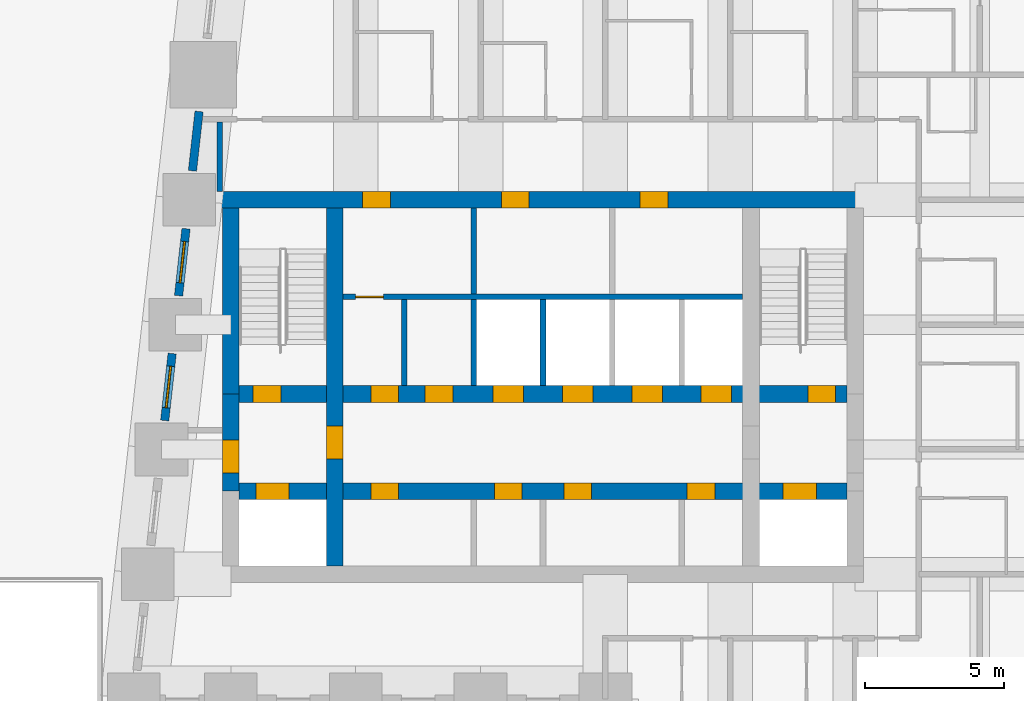
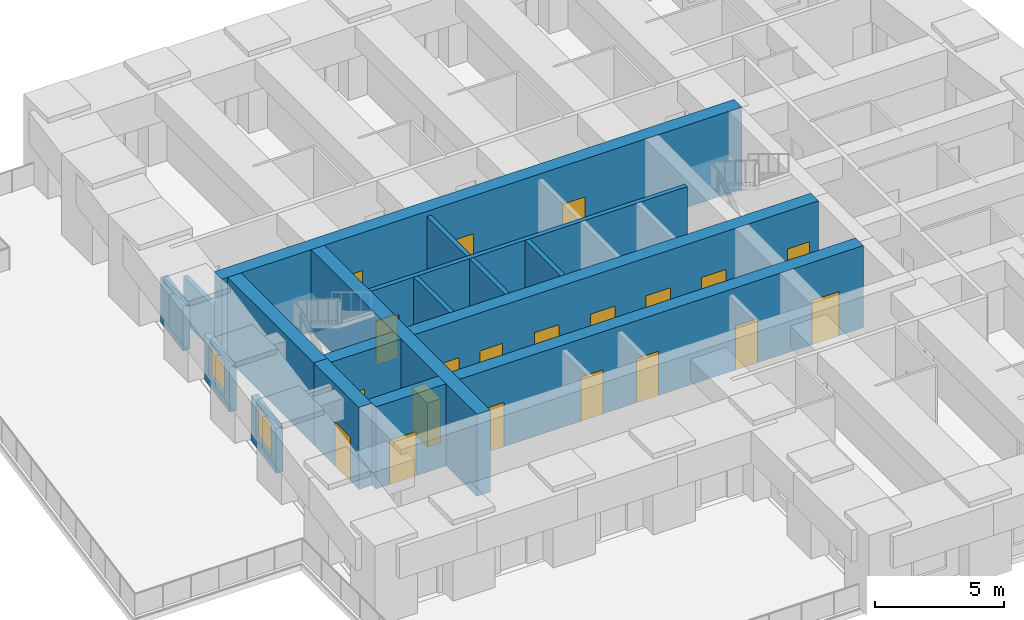
# One storey, part 3 of 7: 20 doors, 15 walls, 2 windows, 22 openings.
"""IFC4 building model written with IfcOpenShell, lengths in metres."""

from ifc_helpers import new_model, si_unit, direction, frame, frame_2d, origin, place, context, subcontext, project, spatial, rectangle, extrude, material, layer, layer_set, type_object, element, fill, save


model = new_model("IFC4")

# Units and contexts
model_context = context("Model", 3, precision=1e-05, world=origin(), true_north=direction((0.0, 1.0)))
body_context = subcontext(model_context, "Body", "Model", "MODEL_VIEW")
ifc_project = project(units=[si_unit("LENGTHUNIT", "METRE"), si_unit("AREAUNIT", "SQUARE_METRE"), si_unit("VOLUMEUNIT", "CUBIC_METRE"), si_unit("PLANEANGLEUNIT", "RADIAN"), si_unit("MASSUNIT", "GRAM", prefix="KILO")], contexts=[model_context])

# Site, building, storey
site_placement = place(None, origin())
site = spatial("IfcSite", under=ifc_project, at=site_placement, CompositionType="ELEMENT")
building_placement = place(site_placement, origin())
building = spatial("IfcBuilding", under=site, at=building_placement, Name="Kilele Tower Hotel", CompositionType="ELEMENT")
storey_placement = place(building_placement, frame((0.0, 0.0, 217.39990234375)))
storey = spatial("IfcBuildingStorey", under=building, at=storey_placement, Name="L56", CompositionType="ELEMENT", Elevation=217.39990234375)

# Wall, openings, doors
ifc_material_1 = material(Name="Concrete C60/75", Category="concrete")
ifc_layer_1 = layer(ifc_material_1, 0.60009765625)
ifc_layer_set_1 = layer_set([ifc_layer_1], Name="Concrete C60/75")
wall_type_1 = type_object("IfcWallType", Name="Core wall 600 C60/75", PredefinedType="SHEAR", material=ifc_layer_set_1)
wall_1_placement = place(storey_placement, frame((36.300048828125, 27.0, 0.0), z_axis=(0.0, 0.0, 1.0), x_axis=(-1.0, 0.0, 0.0)))
wall_1 = element("IfcWall", 1, at=wall_1_placement, inside=storey, type_object=wall_type_1, Name="Core wall N L56", PredefinedType="SHEAR", context=body_context, shape_type="SweptSolid", body=[
    extrude(rectangle(XDim=23.35009765625, YDim=0.60009765625, at=frame_2d((11.675048828125, 0.0))), origin(), (0.0, 0.0, 1.0), 3.900146484375),
])
opening_1_placement = place(wall_1_placement, frame((17.050048828125, 0.0, 0.0)))
opening_1 = element("IfcOpeningElement", 2, at=opening_1_placement, cuts=wall_1, Name="Opening D12", PredefinedType="OPENING", context=body_context, shape_type="SweptSolid", body=[
    extrude(rectangle(XDim=1.0, YDim=2.10009765625, at=frame_2d((0.5, 1.050048828125))), frame((0.0, 0.31005859375, 0.0), z_axis=(0.0, -1.0, 0.0), x_axis=(1.0, 0.0, 0.0)), (0.0, 0.0, 1.0), 0.6201171875),
])
opening_2_placement = place(wall_1_placement, frame((12.050048828125, 0.0, 0.0)))
opening_2 = element("IfcOpeningElement", 3, at=opening_2_placement, cuts=wall_1, Name="Opening D6", PredefinedType="OPENING", context=body_context, shape_type="SweptSolid", body=[
    extrude(rectangle(XDim=1.0, YDim=2.10009765625, at=frame_2d((0.5, 1.050048828125))), frame((0.0, 0.31005859375, 0.0), z_axis=(0.0, -1.0, 0.0), x_axis=(1.0, 0.0, 0.0)), (0.0, 0.0, 1.0), 0.6201171875),
])
opening_3_placement = place(wall_1_placement, frame((7.050048828125, 0.0, 0.0)))
opening_3 = element("IfcOpeningElement", 4, at=opening_3_placement, cuts=wall_1, Name="Opening D6", PredefinedType="OPENING", context=body_context, shape_type="SweptSolid", body=[
    extrude(rectangle(XDim=1.0, YDim=2.10009765625, at=frame_2d((0.5, 1.050048828125))), frame((0.0, 0.31005859375, 0.0), z_axis=(0.0, -1.0, 0.0), x_axis=(1.0, 0.0, 0.0)), (0.0, 0.0, 1.0), 0.6201171875),
])
ifc_material_2 = material(Name="Timber door leaf in hardwood frame", Category="wood")
door_type_1 = type_object("IfcDoorType", Name="Core lobby door 1000", OperationType="SINGLE_SWING_LEFT", PredefinedType="DOOR", material=ifc_material_2)
door_1_placement = place(opening_1_placement, origin())
door_1 = element("IfcDoor", 5, at=door_1_placement, inside=storey, type_object=door_type_1, Name="North lobby door L56", OperationType="SINGLE_SWING_RIGHT", OverallHeight=2.10009765625, OverallWidth=1.0, PredefinedType="DOOR", context=body_context, shape_type="SweptSolid", body=[
    extrude(rectangle(XDim=1.0, YDim=2.10009765625, at=frame_2d((0.5, 1.050048828125))), frame((0.0, 0.2998046875, 0.0), z_axis=(0.0, -1.0, 0.0), x_axis=(1.0, 0.0, 0.0)), (0.0, 0.0, 1.0), 0.599609375),
])
fill(opening_1, door_1)
ifc_material_3 = material(Name="Timber door leaf in hardwood frame", Category="wood")
door_type_2 = type_object("IfcDoorType", Name="Riser door 1000", OperationType="SINGLE_SWING_LEFT", PredefinedType="DOOR", material=ifc_material_3)
door_2_placement = place(opening_2_placement, origin())
door_2 = element("IfcDoor", 6, at=door_2_placement, inside=storey, type_object=door_type_2, Name="Guest pantry door L56", OperationType="SINGLE_SWING_RIGHT", OverallHeight=2.10009765625, OverallWidth=1.0, PredefinedType="DOOR", context=body_context, shape_type="SweptSolid", body=[
    extrude(rectangle(XDim=1.0, YDim=2.10009765625, at=frame_2d((0.5, 1.050048828125))), frame((0.0, 0.2998046875, 0.0), z_axis=(0.0, -1.0, 0.0), x_axis=(1.0, 0.0, 0.0)), (0.0, 0.0, 1.0), 0.599609375),
])
fill(opening_2, door_2)
door_3_placement = place(opening_3_placement, origin())
door_3 = element("IfcDoor", 7, at=door_3_placement, inside=storey, type_object=door_type_2, Name="Electrical riser door L56", OperationType="SINGLE_SWING_RIGHT", OverallHeight=2.10009765625, OverallWidth=1.0, PredefinedType="DOOR", context=body_context, shape_type="SweptSolid", body=[
    extrude(rectangle(XDim=1.0, YDim=2.10009765625, at=frame_2d((0.5, 1.050048828125))), frame((0.0, 0.2998046875, 0.0), z_axis=(0.0, -1.0, 0.0), x_axis=(1.0, 0.0, 0.0)), (0.0, 0.0, 1.0), 0.599609375),
])
fill(opening_3, door_3)

# Wall, opening, door
wall_2_placement = place(storey_placement, frame((17.25, 13.800048828125, 0.0), z_axis=(0.0, 0.0, 1.0), x_axis=(0.0, 1.0, 0.0)))
wall_2 = element("IfcWall", 8, at=wall_2_placement, inside=storey, type_object=wall_type_1, Name="Core wall IW L56", PredefinedType="SHEAR", context=body_context, shape_type="SweptSolid", body=[
    extrude(rectangle(XDim=12.89990234375, YDim=0.60009765625, at=frame_2d((6.449951171875, 0.0))), origin(), (0.0, 0.0, 1.0), 3.900146484375),
])
opening_4_placement = place(wall_2_placement, frame((3.85009765625, 0.0, 0.0)))
opening_4 = element("IfcOpeningElement", 9, at=opening_4_placement, cuts=wall_2, Name="Opening D4", PredefinedType="OPENING", context=body_context, shape_type="SweptSolid", body=[
    extrude(rectangle(XDim=1.199951171875, YDim=2.10009765625, at=frame_2d((0.60009765625, 1.050048828125))), frame((0.0, 0.31005859375, 0.0), z_axis=(0.0, -1.0, 0.0), x_axis=(1.0, 0.0, 0.0)), (0.0, 0.0, 1.0), 0.6201171875),
])
ifc_material_4 = material(Name="Timber door leaf in hardwood frame", Category="wood")
door_type_3 = type_object("IfcDoorType", Name="Firefighting lobby door 1200", OperationType="SINGLE_SWING_LEFT", PredefinedType="DOOR", material=ifc_material_4)
door_4_placement = place(opening_4_placement, origin())
door_4 = element("IfcDoor", 10, at=door_4_placement, inside=storey, type_object=door_type_3, Name="Lobby door L56", OperationType="SINGLE_SWING_LEFT", OverallHeight=2.10009765625, OverallWidth=1.199951171875, PredefinedType="DOOR", context=body_context, shape_type="SweptSolid", body=[
    extrude(rectangle(XDim=1.199951171875, YDim=2.10009765625, at=frame_2d((0.60009765625, 1.050048828125))), frame((0.0, 0.2998046875, 0.0), z_axis=(0.0, -1.0, 0.0), x_axis=(1.0, 0.0, 0.0)), (0.0, 0.0, 1.0), 0.599609375),
])
fill(opening_4, door_4)

# Wall, openings, doors
wall_3_placement = place(storey_placement, frame((13.800048828125, 16.5, 0.0), z_axis=(0.0, 0.0, 1.0), x_axis=(1.0, 0.0, 0.0)))
wall_3 = element("IfcWall", 11, at=wall_3_placement, inside=storey, type_object=wall_type_1, Name="Core wall LS L56", PredefinedType="SHEAR", context=body_context, shape_type="SweptSolid", body=[
    extrude(rectangle(XDim=21.89990234375, YDim=0.60009765625, at=frame_2d((10.949951171875, 0.0))), origin(), (0.0, 0.0, 1.0), 3.900146484375),
])
opening_5_placement = place(wall_3_placement, frame((5.75, 0.0, 0.0), z_axis=(0.0, 0.0, 1.0), x_axis=(-1.0, 0.0, 0.0)))
opening_5 = element("IfcOpeningElement", 12, at=opening_5_placement, cuts=wall_3, Name="Opening D11", PredefinedType="OPENING", context=body_context, shape_type="SweptSolid", body=[
    extrude(rectangle(XDim=1.0, YDim=2.10009765625, at=frame_2d((0.5, 1.050048828125))), frame((0.0, 0.31005859375, 0.0), z_axis=(0.0, -1.0, 0.0), x_axis=(1.0, 0.0, 0.0)), (0.0, 0.0, 1.0), 0.6201171875),
])
opening_6_placement = place(wall_3_placement, frame((10.199951171875, 0.0, 0.0), z_axis=(0.0, 0.0, 1.0), x_axis=(-1.0, 0.0, 0.0)))
opening_6 = element("IfcOpeningElement", 13, at=opening_6_placement, cuts=wall_3, Name="Opening D11", PredefinedType="OPENING", context=body_context, shape_type="SweptSolid", body=[
    extrude(rectangle(XDim=1.0, YDim=2.10009765625, at=frame_2d((0.5, 1.050048828125))), frame((0.0, 0.31005859375, 0.0), z_axis=(0.0, -1.0, 0.0), x_axis=(1.0, 0.0, 0.0)), (0.0, 0.0, 1.0), 0.6201171875),
])
opening_7_placement = place(wall_3_placement, frame((12.699951171875, 0.0, 0.0), z_axis=(0.0, 0.0, 1.0), x_axis=(-1.0, 0.0, 0.0)))
opening_7 = element("IfcOpeningElement", 14, at=opening_7_placement, cuts=wall_3, Name="Opening D11", PredefinedType="OPENING", context=body_context, shape_type="SweptSolid", body=[
    extrude(rectangle(XDim=1.0, YDim=2.10009765625, at=frame_2d((0.5, 1.050048828125))), frame((0.0, 0.31005859375, 0.0), z_axis=(0.0, -1.0, 0.0), x_axis=(1.0, 0.0, 0.0)), (0.0, 0.0, 1.0), 0.6201171875),
])
opening_8_placement = place(wall_3_placement, frame((17.14990234375, 0.0, 0.0), z_axis=(0.0, 0.0, 1.0), x_axis=(-1.0, 0.0, 0.0)))
opening_8 = element("IfcOpeningElement", 15, at=opening_8_placement, cuts=wall_3, Name="Opening D11", PredefinedType="OPENING", context=body_context, shape_type="SweptSolid", body=[
    extrude(rectangle(XDim=1.0, YDim=2.10009765625, at=frame_2d((0.5, 1.050048828125))), frame((0.0, 0.31005859375, 0.0), z_axis=(0.0, -1.0, 0.0), x_axis=(1.0, 0.0, 0.0)), (0.0, 0.0, 1.0), 0.6201171875),
])
opening_9_placement = place(wall_3_placement, frame((0.60009765625, 0.0, 0.0)))
opening_9 = element("IfcOpeningElement", 16, at=opening_9_placement, cuts=wall_3, Name="Opening LD2", PredefinedType="OPENING", context=body_context, shape_type="SweptSolid", body=[
    extrude(rectangle(XDim=1.199951171875, YDim=2.10009765625, at=frame_2d((0.60009765625, 1.050048828125))), frame((0.0, 0.31005859375, 0.0), z_axis=(0.0, -1.0, 0.0), x_axis=(1.0, 0.0, 0.0)), (0.0, 0.0, 1.0), 0.6201171875),
])
opening_10_placement = place(wall_3_placement, frame((19.60009765625, 0.0, 0.0)))
opening_10 = element("IfcOpeningElement", 17, at=opening_10_placement, cuts=wall_3, Name="Opening LD2", PredefinedType="OPENING", context=body_context, shape_type="SweptSolid", body=[
    extrude(rectangle(XDim=1.199951171875, YDim=2.10009765625, at=frame_2d((0.60009765625, 1.050048828125))), frame((0.0, 0.31005859375, 0.0), z_axis=(0.0, -1.0, 0.0), x_axis=(1.0, 0.0, 0.0)), (0.0, 0.0, 1.0), 0.6201171875),
])
ifc_material_5 = material(Name="Timber door leaf in hardwood frame", Category="wood")
door_type_4 = type_object("IfcDoorType", Name="Core store door 1000", OperationType="SINGLE_SWING_LEFT", PredefinedType="DOOR", material=ifc_material_5)
door_5_placement = place(opening_5_placement, origin())
door_5 = element("IfcDoor", 18, at=door_5_placement, inside=storey, type_object=door_type_4, Name="Core room door L1 L56", OperationType="SINGLE_SWING_RIGHT", OverallHeight=2.10009765625, OverallWidth=1.0, PredefinedType="DOOR", context=body_context, shape_type="SweptSolid", body=[
    extrude(rectangle(XDim=1.0, YDim=2.10009765625, at=frame_2d((0.5, 1.050048828125))), frame((0.0, 0.2998046875, 0.0), z_axis=(0.0, -1.0, 0.0), x_axis=(1.0, 0.0, 0.0)), (0.0, 0.0, 1.0), 0.599609375),
])
fill(opening_5, door_5)
door_6_placement = place(opening_6_placement, origin())
door_6 = element("IfcDoor", 19, at=door_6_placement, inside=storey, type_object=door_type_4, Name="Core room door L3 L56", OperationType="SINGLE_SWING_RIGHT", OverallHeight=2.10009765625, OverallWidth=1.0, PredefinedType="DOOR", context=body_context, shape_type="SweptSolid", body=[
    extrude(rectangle(XDim=1.0, YDim=2.10009765625, at=frame_2d((0.5, 1.050048828125))), frame((0.0, 0.2998046875, 0.0), z_axis=(0.0, -1.0, 0.0), x_axis=(1.0, 0.0, 0.0)), (0.0, 0.0, 1.0), 0.599609375),
])
fill(opening_6, door_6)
door_7_placement = place(opening_7_placement, origin())
door_7 = element("IfcDoor", 20, at=door_7_placement, inside=storey, type_object=door_type_4, Name="Core room door M1 L56", OperationType="SINGLE_SWING_RIGHT", OverallHeight=2.10009765625, OverallWidth=1.0, PredefinedType="DOOR", context=body_context, shape_type="SweptSolid", body=[
    extrude(rectangle(XDim=1.0, YDim=2.10009765625, at=frame_2d((0.5, 1.050048828125))), frame((0.0, 0.2998046875, 0.0), z_axis=(0.0, -1.0, 0.0), x_axis=(1.0, 0.0, 0.0)), (0.0, 0.0, 1.0), 0.599609375),
])
fill(opening_7, door_7)
door_8_placement = place(opening_8_placement, origin())
door_8 = element("IfcDoor", 21, at=door_8_placement, inside=storey, type_object=door_type_4, Name="Core room door M3 L56", OperationType="SINGLE_SWING_RIGHT", OverallHeight=2.10009765625, OverallWidth=1.0, PredefinedType="DOOR", context=body_context, shape_type="SweptSolid", body=[
    extrude(rectangle(XDim=1.0, YDim=2.10009765625, at=frame_2d((0.5, 1.050048828125))), frame((0.0, 0.2998046875, 0.0), z_axis=(0.0, -1.0, 0.0), x_axis=(1.0, 0.0, 0.0)), (0.0, 0.0, 1.0), 0.599609375),
])
fill(opening_8, door_8)
ifc_material_6 = material(Name="Steel lift landing door", Category="steel")
door_type_5 = type_object("IfcDoorType", Name="Firefighting lift landing door 1200", OperationType="SLIDING_TO_LEFT", PredefinedType="DOOR", material=ifc_material_6)
door_9_placement = place(opening_9_placement, origin())
door_9 = element("IfcDoor", 22, at=door_9_placement, inside=storey, type_object=door_type_5, Name="Landing door FFW L56", OperationType="SLIDING_TO_LEFT", OverallHeight=2.10009765625, OverallWidth=1.199951171875, PredefinedType="DOOR", context=body_context, shape_type="SweptSolid", body=[
    extrude(rectangle(XDim=1.199951171875, YDim=2.10009765625, at=frame_2d((0.60009765625, 1.050048828125))), frame((0.0, 0.2998046875, 0.0), z_axis=(0.0, -1.0, 0.0), x_axis=(1.0, 0.0, 0.0)), (0.0, 0.0, 1.0), 0.599609375),
])
fill(opening_9, door_9)
door_10_placement = place(opening_10_placement, origin())
door_10 = element("IfcDoor", 23, at=door_10_placement, inside=storey, type_object=door_type_5, Name="Landing door FFE L56", OperationType="SLIDING_TO_LEFT", OverallHeight=2.10009765625, OverallWidth=1.199951171875, PredefinedType="DOOR", context=body_context, shape_type="SweptSolid", body=[
    extrude(rectangle(XDim=1.199951171875, YDim=2.10009765625, at=frame_2d((0.60009765625, 1.050048828125))), frame((0.0, 0.2998046875, 0.0), z_axis=(0.0, -1.0, 0.0), x_axis=(1.0, 0.0, 0.0)), (0.0, 0.0, 1.0), 0.599609375),
])
fill(opening_10, door_10)

wall_4_placement = place(storey_placement, frame((13.800048828125, 20.0, 0.0), z_axis=(0.0, 0.0, 1.0), x_axis=(1.0, 0.0, 0.0)))
wall_4 = element("IfcWall", 24, at=wall_4_placement, inside=storey, type_object=wall_type_1, Name="Core wall LN L56", PredefinedType="SHEAR", context=body_context, shape_type="SweptSolid", body=[
    extrude(rectangle(XDim=21.89990234375, YDim=0.60009765625, at=frame_2d((10.949951171875, 0.0))), origin(), (0.0, 0.0, 1.0), 3.900146484375),
])
opening_11_placement = place(wall_4_placement, frame((0.5, 0.0, 0.0)))
opening_11 = element("IfcOpeningElement", 25, at=opening_11_placement, cuts=wall_4, Name="Opening D5", PredefinedType="OPENING", context=body_context, shape_type="SweptSolid", body=[
    extrude(rectangle(XDim=1.0, YDim=2.10009765625, at=frame_2d((0.5, 1.050048828125))), frame((0.0, 0.31005859375, 0.0), z_axis=(0.0, -1.0, 0.0), x_axis=(1.0, 0.0, 0.0)), (0.0, 0.0, 1.0), 0.6201171875),
])
opening_12_placement = place(wall_4_placement, frame((20.5, 0.0, 0.0)))
opening_12 = element("IfcOpeningElement", 26, at=opening_12_placement, cuts=wall_4, Name="Opening D5", PredefinedType="OPENING", context=body_context, shape_type="SweptSolid", body=[
    extrude(rectangle(XDim=1.0, YDim=2.10009765625, at=frame_2d((0.5, 1.050048828125))), frame((0.0, 0.31005859375, 0.0), z_axis=(0.0, -1.0, 0.0), x_axis=(1.0, 0.0, 0.0)), (0.0, 0.0, 1.0), 0.6201171875),
])
opening_13_placement = place(wall_4_placement, frame((9.14990234375, 0.0, 0.0)))
opening_13 = element("IfcOpeningElement", 27, at=opening_13_placement, cuts=wall_4, Name="Opening LD1", PredefinedType="OPENING", context=body_context, shape_type="SweptSolid", body=[
    extrude(rectangle(XDim=1.10009765625, YDim=2.10009765625, at=frame_2d((0.550048828125, 1.050048828125))), frame((0.0, 0.31005859375, 0.0), z_axis=(0.0, -1.0, 0.0), x_axis=(1.0, 0.0, 0.0)), (0.0, 0.0, 1.0), 0.6201171875),
])
opening_14_placement = place(wall_4_placement, frame((11.64990234375, 0.0, 0.0)))
opening_14 = element("IfcOpeningElement", 28, at=opening_14_placement, cuts=wall_4, Name="Opening LD1", PredefinedType="OPENING", context=body_context, shape_type="SweptSolid", body=[
    extrude(rectangle(XDim=1.10009765625, YDim=2.10009765625, at=frame_2d((0.550048828125, 1.050048828125))), frame((0.0, 0.31005859375, 0.0), z_axis=(0.0, -1.0, 0.0), x_axis=(1.0, 0.0, 0.0)), (0.0, 0.0, 1.0), 0.6201171875),
])
opening_15_placement = place(wall_4_placement, frame((14.14990234375, 0.0, 0.0)))
opening_15 = element("IfcOpeningElement", 29, at=opening_15_placement, cuts=wall_4, Name="Opening LD1", PredefinedType="OPENING", context=body_context, shape_type="SweptSolid", body=[
    extrude(rectangle(XDim=1.10009765625, YDim=2.10009765625, at=frame_2d((0.550048828125, 1.050048828125))), frame((0.0, 0.31005859375, 0.0), z_axis=(0.0, -1.0, 0.0), x_axis=(1.0, 0.0, 0.0)), (0.0, 0.0, 1.0), 0.6201171875),
])
opening_16_placement = place(wall_4_placement, frame((16.64990234375, 0.0, 0.0)))
opening_16 = element("IfcOpeningElement", 30, at=opening_16_placement, cuts=wall_4, Name="Opening LD1", PredefinedType="OPENING", context=body_context, shape_type="SweptSolid", body=[
    extrude(rectangle(XDim=1.10009765625, YDim=2.10009765625, at=frame_2d((0.550048828125, 1.050048828125))), frame((0.0, 0.31005859375, 0.0), z_axis=(0.0, -1.0, 0.0), x_axis=(1.0, 0.0, 0.0)), (0.0, 0.0, 1.0), 0.6201171875),
])
opening_17_placement = place(wall_4_placement, frame((5.75, 0.0, 0.0), z_axis=(0.0, 0.0, 1.0), x_axis=(-1.0, 0.0, 0.0)))
opening_17 = element("IfcOpeningElement", 31, at=opening_17_placement, cuts=wall_4, Name="Opening D12", PredefinedType="OPENING", context=body_context, shape_type="SweptSolid", body=[
    extrude(rectangle(XDim=1.0, YDim=2.10009765625, at=frame_2d((0.5, 1.050048828125))), frame((0.0, 0.31005859375, 0.0), z_axis=(0.0, -1.0, 0.0), x_axis=(1.0, 0.0, 0.0)), (0.0, 0.0, 1.0), 0.6201171875),
])
opening_18_placement = place(wall_4_placement, frame((6.699951171875, 0.0, 0.0)))
opening_18 = element("IfcOpeningElement", 32, at=opening_18_placement, cuts=wall_4, Name="Opening D11", PredefinedType="OPENING", context=body_context, shape_type="SweptSolid", body=[
    extrude(rectangle(XDim=1.0, YDim=2.10009765625, at=frame_2d((0.5, 1.050048828125))), frame((0.0, 0.31005859375, 0.0), z_axis=(0.0, -1.0, 0.0), x_axis=(1.0, 0.0, 0.0)), (0.0, 0.0, 1.0), 0.6201171875),
])
door_11_placement = place(opening_17_placement, origin())
door_11 = element("IfcDoor", 33, at=door_11_placement, inside=storey, type_object=door_type_1, Name="Core passage door L56", OperationType="SINGLE_SWING_RIGHT", OverallHeight=2.10009765625, OverallWidth=1.0, PredefinedType="DOOR", context=body_context, shape_type="SweptSolid", body=[
    extrude(rectangle(XDim=1.0, YDim=2.10009765625, at=frame_2d((0.5, 1.050048828125))), frame((0.0, 0.2998046875, 0.0), z_axis=(0.0, -1.0, 0.0), x_axis=(1.0, 0.0, 0.0)), (0.0, 0.0, 1.0), 0.599609375),
])
fill(opening_17, door_11)
door_12_placement = place(opening_18_placement, origin())
door_12 = element("IfcDoor", 34, at=door_12_placement, inside=storey, type_object=door_type_4, Name="Core room door S2 L56", OperationType="SINGLE_SWING_LEFT", OverallHeight=2.10009765625, OverallWidth=1.0, PredefinedType="DOOR", context=body_context, shape_type="SweptSolid", body=[
    extrude(rectangle(XDim=1.0, YDim=2.10009765625, at=frame_2d((0.5, 1.050048828125))), frame((0.0, 0.2998046875, 0.0), z_axis=(0.0, -1.0, 0.0), x_axis=(1.0, 0.0, 0.0)), (0.0, 0.0, 1.0), 0.599609375),
])
fill(opening_18, door_12)
ifc_material_7 = material(Name="Steel lift landing door", Category="steel")
door_type_6 = type_object("IfcDoorType", Name="Lift landing door 1100", OperationType="SLIDING_TO_LEFT", PredefinedType="DOOR", material=ifc_material_7)
door_13_placement = place(opening_13_placement, origin())
door_13 = element("IfcDoor", 35, at=door_13_placement, inside=storey, type_object=door_type_6, Name="Landing door H1 L56", OperationType="SLIDING_TO_LEFT", OverallHeight=2.10009765625, OverallWidth=1.10009765625, PredefinedType="DOOR", context=body_context, shape_type="SweptSolid", body=[
    extrude(rectangle(XDim=1.10009765625, YDim=2.10009765625, at=frame_2d((0.550048828125, 1.050048828125))), frame((0.0, 0.2998046875, 0.0), z_axis=(0.0, -1.0, 0.0), x_axis=(1.0, 0.0, 0.0)), (0.0, 0.0, 1.0), 0.599609375),
])
fill(opening_13, door_13)
door_14_placement = place(opening_14_placement, origin())
door_14 = element("IfcDoor", 36, at=door_14_placement, inside=storey, type_object=door_type_6, Name="Landing door H2 L56", OperationType="SLIDING_TO_LEFT", OverallHeight=2.10009765625, OverallWidth=1.10009765625, PredefinedType="DOOR", context=body_context, shape_type="SweptSolid", body=[
    extrude(rectangle(XDim=1.10009765625, YDim=2.10009765625, at=frame_2d((0.550048828125, 1.050048828125))), frame((0.0, 0.2998046875, 0.0), z_axis=(0.0, -1.0, 0.0), x_axis=(1.0, 0.0, 0.0)), (0.0, 0.0, 1.0), 0.599609375),
])
fill(opening_14, door_14)
door_15_placement = place(opening_15_placement, origin())
door_15 = element("IfcDoor", 37, at=door_15_placement, inside=storey, type_object=door_type_6, Name="Landing door H3 L56", OperationType="SLIDING_TO_LEFT", OverallHeight=2.10009765625, OverallWidth=1.10009765625, PredefinedType="DOOR", context=body_context, shape_type="SweptSolid", body=[
    extrude(rectangle(XDim=1.10009765625, YDim=2.10009765625, at=frame_2d((0.550048828125, 1.050048828125))), frame((0.0, 0.2998046875, 0.0), z_axis=(0.0, -1.0, 0.0), x_axis=(1.0, 0.0, 0.0)), (0.0, 0.0, 1.0), 0.599609375),
])
fill(opening_15, door_15)
door_16_placement = place(opening_16_placement, origin())
door_16 = element("IfcDoor", 38, at=door_16_placement, inside=storey, type_object=door_type_6, Name="Landing door G1 L56", OperationType="SLIDING_TO_LEFT", OverallHeight=2.10009765625, OverallWidth=1.10009765625, PredefinedType="DOOR", context=body_context, shape_type="SweptSolid", body=[
    extrude(rectangle(XDim=1.10009765625, YDim=2.10009765625, at=frame_2d((0.550048828125, 1.050048828125))), frame((0.0, 0.2998046875, 0.0), z_axis=(0.0, -1.0, 0.0), x_axis=(1.0, 0.0, 0.0)), (0.0, 0.0, 1.0), 0.599609375),
])
fill(opening_16, door_16)
ifc_material_8 = material(Name="Timber door leaf in hardwood frame", Category="wood")
door_type_7 = type_object("IfcDoorType", Name="Stair door 1000", OperationType="SINGLE_SWING_LEFT", PredefinedType="DOOR", material=ifc_material_8)
door_17_placement = place(opening_11_placement, origin())
door_17 = element("IfcDoor", 39, at=door_17_placement, inside=storey, type_object=door_type_7, Name="Stair 1 door L56", OperationType="SINGLE_SWING_LEFT", OverallHeight=2.10009765625, OverallWidth=1.0, PredefinedType="DOOR", context=body_context, shape_type="SweptSolid", body=[
    extrude(rectangle(XDim=1.0, YDim=2.10009765625, at=frame_2d((0.5, 1.050048828125))), frame((0.0, 0.2998046875, 0.0), z_axis=(0.0, -1.0, 0.0), x_axis=(1.0, 0.0, 0.0)), (0.0, 0.0, 1.0), 0.599609375),
])
fill(opening_11, door_17)
door_18_placement = place(opening_12_placement, origin())
door_18 = element("IfcDoor", 40, at=door_18_placement, inside=storey, type_object=door_type_7, Name="Stair 2 door L56", OperationType="SINGLE_SWING_RIGHT", OverallHeight=2.10009765625, OverallWidth=1.0, PredefinedType="DOOR", context=body_context, shape_type="SweptSolid", body=[
    extrude(rectangle(XDim=1.0, YDim=2.10009765625, at=frame_2d((0.5, 1.050048828125))), frame((0.0, 0.2998046875, 0.0), z_axis=(0.0, -1.0, 0.0), x_axis=(1.0, 0.0, 0.0)), (0.0, 0.0, 1.0), 0.599609375),
])
fill(opening_12, door_18)

# Wall
wall_5_placement = place(storey_placement, frame((13.5, 26.699951171875, 0.0), z_axis=(0.0, 0.0, 1.0), x_axis=(0.0, -1.0, 0.0)))
element("IfcWall", 41, at=wall_5_placement, inside=storey, type_object=wall_type_1, Name="Core wall W1 L56", PredefinedType="SHEAR", context=body_context, shape_type="SweptSolid", body=[
    extrude(rectangle(XDim=6.699951171875, YDim=0.60009765625, at=frame_2d((3.35009765625, 0.0))), origin(), (0.0, 0.0, 1.0), 3.900146484375),
])

# Wall, opening, door
wall_6_placement = place(storey_placement, frame((13.5, 20.0, 0.0), z_axis=(0.0, 0.0, 1.0), x_axis=(0.0, -1.0, 0.0)))
wall_6 = element("IfcWall", 42, at=wall_6_placement, inside=storey, type_object=wall_type_1, Name="Core wall W2 L56", PredefinedType="SHEAR", context=body_context, shape_type="SweptSolid", body=[
    extrude(rectangle(XDim=3.5, YDim=0.60009765625, at=frame_2d((1.75, 0.0))), origin(), (0.0, 0.0, 1.0), 3.900146484375),
])
opening_19_placement = place(wall_6_placement, frame((1.64990234375, 0.0, 0.0)))
opening_19 = element("IfcOpeningElement", 43, at=opening_19_placement, cuts=wall_6, Name="Opening D4", PredefinedType="OPENING", context=body_context, shape_type="SweptSolid", body=[
    extrude(rectangle(XDim=1.199951171875, YDim=2.10009765625, at=frame_2d((0.60009765625, 1.050048828125))), frame((0.0, 0.31005859375, 0.0), z_axis=(0.0, -1.0, 0.0), x_axis=(1.0, 0.0, 0.0)), (0.0, 0.0, 1.0), 0.6201171875),
])
door_19_placement = place(opening_19_placement, origin())
door_19 = element("IfcDoor", 44, at=door_19_placement, inside=storey, type_object=door_type_3, Name="Lobby door L56", OperationType="SINGLE_SWING_RIGHT", OverallHeight=2.10009765625, OverallWidth=1.199951171875, PredefinedType="DOOR", context=body_context, shape_type="SweptSolid", body=[
    extrude(rectangle(XDim=1.199951171875, YDim=2.10009765625, at=frame_2d((0.60009765625, 1.050048828125))), frame((0.0, 0.2998046875, 0.0), z_axis=(0.0, -1.0, 0.0), x_axis=(1.0, 0.0, 0.0)), (0.0, 0.0, 1.0), 0.599609375),
])
fill(opening_19, door_19)

# Walls
ifc_material_9 = material(Name="Blockwork, plastered both sides", Category="masonry")
ifc_layer_2 = layer(ifc_material_9, 0.199951171875)
ifc_layer_set_2 = layer_set([ifc_layer_2], Name="Blockwork, plastered both sides")
wall_type_2 = type_object("IfcWallType", Name="Partition wall 200", PredefinedType="PARTITIONING", material=ifc_layer_set_2)
wall_7_placement = place(storey_placement, frame((13.10009765625, 27.300048828125, 0.0), z_axis=(0.0, 0.0, 1.0), x_axis=(0.0, 1.0, 0.0)))
element("IfcWall", 45, at=wall_7_placement, inside=storey, type_object=wall_type_2, Name="Partition wall 200 L56", PredefinedType="PARTITIONING", context=body_context, shape_type="SweptSolid", body=[
    extrude(rectangle(XDim=2.5, YDim=0.199951171875, at=frame_2d((1.25, 0.0))), origin(), (0.0, 0.0, 1.0), 2.150146484375),
])
ifc_material_10 = material(Name="Concrete C40/50 precast", Category="concrete")
ifc_layer_3 = layer(ifc_material_10, 0.260009765625, Name="Precast backing", Category="LoadBearing")
ifc_material_11 = material(Name="Reconstituted stone finish", Category="masonry")
ifc_layer_4 = layer(ifc_material_11, 0.0400390625, Name="Face mix", Category="Finish")
ifc_layer_set_3 = layer_set([ifc_layer_3, ifc_layer_4], Name="Precast concrete C40/50, reconstituted stone finish")
wall_type_3 = type_object("IfcWallType", Name="Precast stone facade wall 300", PredefinedType="STANDARD", material=ifc_layer_set_3)
wall_8_placement = place(storey_placement, frame((12.353759765625, 30.182861328125, 0.0), z_axis=(0.0, 0.0, 1.0), x_axis=(-0.110431526075, -0.993883734674, 0.0)))
element("IfcWall", 46, at=wall_8_placement, inside=storey, type_object=wall_type_3, Name="Facade wall L56 edge 10 bay 3", PredefinedType="STANDARD", context=body_context, shape_type="SweptSolid", body=[
    extrude(rectangle(XDim=2.1533203125, YDim=0.300048828125, at=frame_2d((1.07666015625, 0.0))), origin(), (0.0, 0.0, 1.0), 2.150146484375),
])

# Wall, opening, window
wall_9_placement = place(storey_placement, frame((11.884033203125, 25.957275390625, 0.0), z_axis=(0.0, 0.0, 1.0), x_axis=(-0.110343286306, -0.993893535127, 0.0)))
wall_9 = element("IfcWall", 47, at=wall_9_placement, inside=storey, type_object=wall_type_3, Name="Facade wall L56 edge 10 bay 4", PredefinedType="STANDARD", context=body_context, shape_type="SweptSolid", body=[
    extrude(rectangle(XDim=2.429443359375, YDim=0.300048828125, at=frame_2d((1.21484375, 0.0))), origin(), (0.0, 0.0, 1.0), 2.150146484375),
])
opening_20_placement = place(wall_9_placement, frame((0.46484375, 0.0, 0.5)))
opening_20 = element("IfcOpeningElement", 48, at=opening_20_placement, cuts=wall_9, Name="Opening W4", PredefinedType="OPENING", context=body_context, shape_type="SweptSolid", body=[
    extrude(rectangle(XDim=1.5, YDim=1.5, at=frame_2d((0.75, 0.75))), frame((0.0, 0.159912109375, 0.0), z_axis=(0.0, -1.0, 0.0), x_axis=(1.0, 0.0, 0.0)), (0.0, 0.0, 1.0), 0.320068359375),
])
ifc_material_12 = material(Name="Aluminium frame, clear double glazing", Category="aluminium")
window_type = type_object("IfcWindowType", Name="Window W4 1500 x 1500", PartitioningType="SINGLE_PANEL", PredefinedType="WINDOW", material=ifc_material_12)
window_1_placement = place(opening_20_placement, origin())
window_1 = element("IfcWindow", 49, at=window_1_placement, inside=storey, type_object=window_type, Name="Window L56", OverallHeight=1.5, OverallWidth=1.5, PartitioningType="SINGLE_PANEL", PredefinedType="WINDOW", context=body_context, shape_type="SweptSolid", body=[
    extrude(rectangle(XDim=1.5, YDim=1.5, at=frame_2d((0.75, 0.75))), frame((0.0, 0.030029296875, 0.0), z_axis=(0.0, -1.0, 0.0), x_axis=(1.0, 0.0, 0.0)), (0.0, 0.0, 1.0), 0.06005859375),
])
fill(opening_20, window_1)

wall_10_placement = place(storey_placement, frame((11.384033203125, 21.457275390625, 0.0), z_axis=(0.0, 0.0, 1.0), x_axis=(-0.110343286306, -0.993893535127, 0.0)))
wall_10 = element("IfcWall", 50, at=wall_10_placement, inside=storey, type_object=wall_type_3, Name="Facade wall L56 edge 10 bay 5", PredefinedType="STANDARD", context=body_context, shape_type="SweptSolid", body=[
    extrude(rectangle(XDim=2.429443359375, YDim=0.300048828125, at=frame_2d((1.21484375, 0.0))), origin(), (0.0, 0.0, 1.0), 2.150146484375),
])
opening_21_placement = place(wall_10_placement, frame((0.465087890625, 0.0, 0.5)))
opening_21 = element("IfcOpeningElement", 51, at=opening_21_placement, cuts=wall_10, Name="Opening W4", PredefinedType="OPENING", context=body_context, shape_type="SweptSolid", body=[
    extrude(rectangle(XDim=1.5, YDim=1.5, at=frame_2d((0.75, 0.75))), frame((0.0, 0.159912109375, 0.0), z_axis=(0.0, -1.0, 0.0), x_axis=(1.0, 0.0, 0.0)), (0.0, 0.0, 1.0), 0.320068359375),
])
window_2_placement = place(opening_21_placement, origin())
window_2 = element("IfcWindow", 52, at=window_2_placement, inside=storey, type_object=window_type, Name="Window L56", OverallHeight=1.5, OverallWidth=1.5, PartitioningType="SINGLE_PANEL", PredefinedType="WINDOW", context=body_context, shape_type="SweptSolid", body=[
    extrude(rectangle(XDim=1.5, YDim=1.5, at=frame_2d((0.75, 0.75))), frame((0.0, 0.030029296875, 0.0), z_axis=(0.0, -1.0, 0.0), x_axis=(1.0, 0.0, 0.0)), (0.0, 0.0, 1.0), 0.06005859375),
])
fill(opening_21, window_2)

# Walls
ifc_material_13 = material(Name="Blockwork, fire-rated", Category="masonry")
ifc_layer_5 = layer(ifc_material_13, 0.199951171875)
ifc_layer_set_4 = layer_set([ifc_layer_5], Name="Blockwork, fire-rated")
wall_type_4 = type_object("IfcWallType", Name="Shaft wall 200", PredefinedType="PARTITIONING", material=ifc_layer_set_4)
for number, where, z_axis, x_axis, name in (
    (53, (19.75, 20.300048828125, 0.0), (0.0, 0.0, 1.0), (0.0, 1.0, 0.0), "Shaft wall 200 L56"),
    (54, (22.25, 20.300048828125, 0.0), (0.0, 0.0, 1.0), (0.0, 1.0, 0.0), "Shaft wall 200 L56"),
    (55, (24.75, 20.300048828125, 0.0), (0.0, 0.0, 1.0), (0.0, 1.0, 0.0), "Shaft wall 200 L56"),
):
    element("IfcWall", number, at=place(storey_placement, frame(where, z_axis=z_axis, x_axis=x_axis)), inside=storey, type_object=wall_type_4, Name=name, PredefinedType="PARTITIONING", context=body_context, shape_type="SweptSolid", body=[
        extrude(rectangle(XDim=3.099853515625, YDim=0.199951171875, at=frame_2d((1.5498046875, 0.0))), origin(), (0.0, 0.0, 1.0), 3.650146484375),
    ])

# Wall, opening, door
wall_11_placement = place(storey_placement, frame((17.550048828125, 23.5, 0.0), z_axis=(0.0, 0.0, 1.0), x_axis=(1.0, 0.0, 0.0)))
wall_11 = element("IfcWall", 56, at=wall_11_placement, inside=storey, type_object=wall_type_4, Name="Shaft wall 200 L56", PredefinedType="PARTITIONING", context=body_context, shape_type="SweptSolid", body=[
    extrude(rectangle(XDim=14.39990234375, YDim=0.199951171875, at=frame_2d((7.199951171875, 0.0))), origin(), (0.0, 0.0, 1.0), 3.650146484375),
])
opening_22_placement = place(wall_11_placement, frame((0.449951171875, 0.0, 0.0)))
opening_22 = element("IfcOpeningElement", 57, at=opening_22_placement, cuts=wall_11, Name="Opening D12", PredefinedType="OPENING", context=body_context, shape_type="SweptSolid", body=[
    extrude(rectangle(XDim=1.0, YDim=2.10009765625, at=frame_2d((0.5, 1.050048828125))), frame((0.0, 0.10986328125, 0.0), z_axis=(0.0, -1.0, 0.0), x_axis=(1.0, 0.0, 0.0)), (0.0, 0.0, 1.0), 0.219970703125),
])
door_20_placement = place(opening_22_placement, origin())
door_20 = element("IfcDoor", 58, at=door_20_placement, inside=storey, type_object=door_type_1, Name="Core passage door", OperationType="SINGLE_SWING_LEFT", OverallHeight=2.10009765625, OverallWidth=1.0, PredefinedType="DOOR", context=body_context, shape_type="SweptSolid", body=[
    extrude(rectangle(XDim=1.0, YDim=2.10009765625, at=frame_2d((0.5, 1.050048828125))), frame((0.0, 0.02490234375, 0.0), z_axis=(0.0, -1.0, 0.0), x_axis=(1.0, 0.0, 0.0)), (0.0, 0.0, 1.0), 0.050048828125),
])
fill(opening_22, door_20)

# Wall
wall_12_placement = place(storey_placement, frame((22.25, 23.60009765625, 0.0), z_axis=(0.0, 0.0, 1.0), x_axis=(0.0, 1.0, 0.0)))
element("IfcWall", 59, at=wall_12_placement, inside=storey, type_object=wall_type_4, Name="Shaft wall 200 L56", PredefinedType="PARTITIONING", context=body_context, shape_type="SweptSolid", body=[
    extrude(rectangle(XDim=3.099853515625, YDim=0.199951171875, at=frame_2d((1.5498046875, 0.0))), origin(), (0.0, 0.0, 1.0), 3.650146484375),
])

save(model, "model.ifc")
